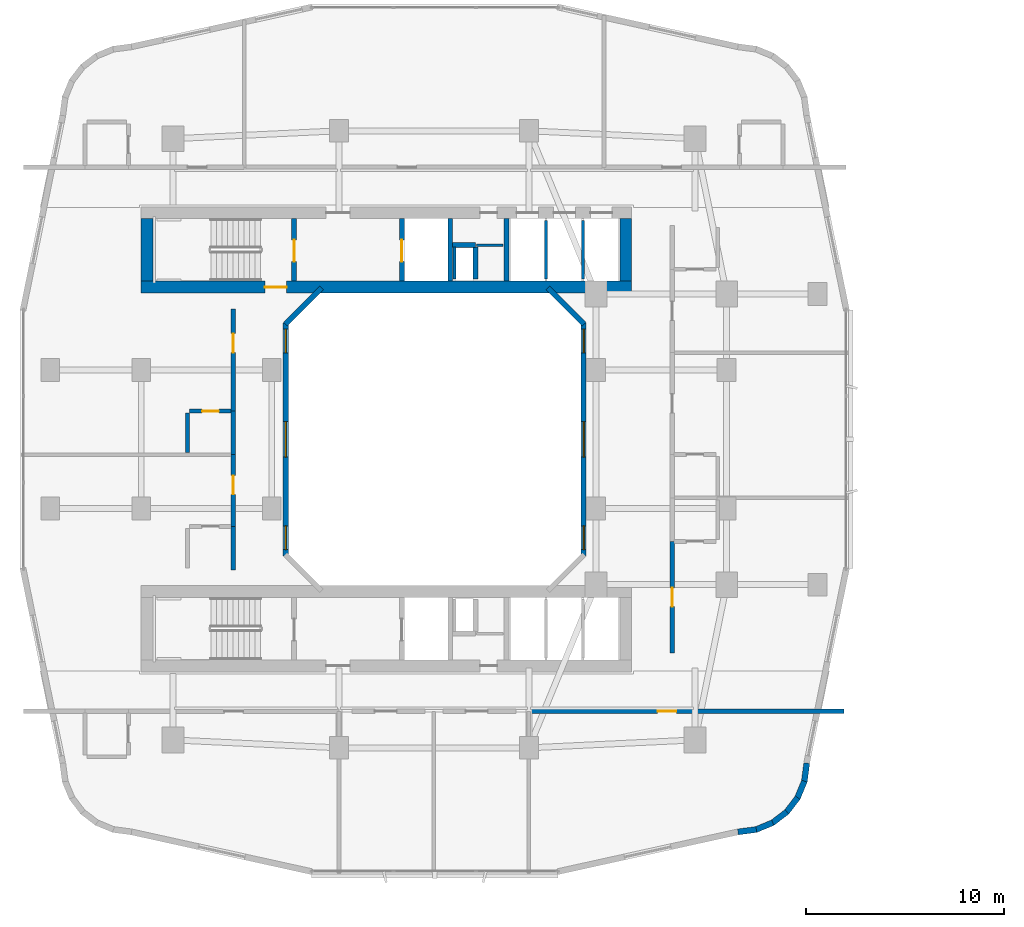
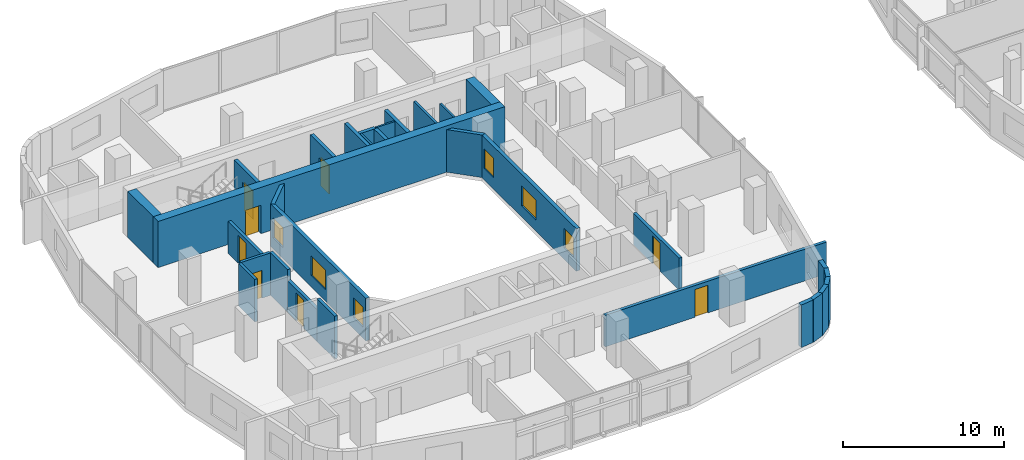
# One storey, part 14 of 26: 31 walls, 8 doors, 6 windows, 14 openings.
"""IFC4 building model written with IfcOpenShell, lengths in metres."""

from ifc_helpers import new_model, si_unit, derived_unit, direction, frame, frame_2d, origin, place, context, subcontext, project, spatial, rectangle, extrude, material, layer, layer_set, type_object, element, fill, save


model = new_model("IFC4")

# Units and contexts
model_context = context("Model", 3, precision=1e-05, world=origin(), true_north=direction((0.0, 1.0)))
body_context = subcontext(model_context, "Body", "Model", "MODEL_VIEW")
ifc_project = project(units=[si_unit("LENGTHUNIT", "METRE"), si_unit("AREAUNIT", "SQUARE_METRE"), si_unit("VOLUMEUNIT", "CUBIC_METRE"), si_unit("PLANEANGLEUNIT", "RADIAN"), si_unit("MASSUNIT", "GRAM", prefix="KILO"), derived_unit("THERMALTRANSMITTANCEUNIT", [(si_unit("POWERUNIT", "WATT"), 1), (si_unit("LENGTHUNIT", "METRE"), -2), (si_unit("THERMODYNAMICTEMPERATUREUNIT", "KELVIN"), -1)])], contexts=[model_context])

# Site, building, storey
site_placement = place(None, origin())
site = spatial("IfcSite", under=ifc_project, at=site_placement, CompositionType="ELEMENT")
building_placement = place(site_placement, origin())
building = spatial("IfcBuilding", under=site, at=building_placement, Name="Kivonza Crest Hotel", CompositionType="ELEMENT")
storey_placement = place(building_placement, frame((0.0, 0.0, 52.0)))
storey = spatial("IfcBuildingStorey", under=building, at=storey_placement, Name="L13", CompositionType="ELEMENT", Elevation=52.0)

# Wall, opening, door
ifc_material_1 = material(Name="Autoclaved aerated concrete blockwork", Category="masonry")
ifc_layer_1 = layer(ifc_material_1, 0.219970703125)
ifc_layer_set_1 = layer_set([ifc_layer_1], Name="Autoclaved aerated concrete blockwork")
wall_type_1 = type_object("IfcWallType", Name="WL-ACOU-220", PredefinedType="SOLIDWALL", material=ifc_layer_set_1)
wall_1_placement = place(storey_placement, frame((25.89990234375, 11.25, 0.0), z_axis=(0.0, 0.0, 1.0), x_axis=(1.0, 0.0, 0.0)))
wall_1 = element("IfcWall", 1, at=wall_1_placement, inside=storey, type_object=wall_type_1, Name="L13 interior partition WA-L13-BUS-MTG-N", PredefinedType="SOLIDWALL", context=body_context, shape_type="SweptSolid", body=[
    extrude(rectangle(XDim=15.840087890625, YDim=0.219970703125, at=frame_2d((7.919921875, 0.0))), origin(), (0.0, 0.0, 1.0), 2.39501953125),
])
opening_1_placement = place(wall_1_placement, frame((6.410888671875, 0.0, 0.0)))
opening_1 = element("IfcOpeningElement", 2, at=opening_1_placement, cuts=wall_1, Name="Opening DF-60S", PredefinedType="OPENING", context=body_context, shape_type="SweptSolid", body=[
    extrude(rectangle(XDim=0.949951171875, YDim=2.10009765625, at=frame_2d((0.47509765625, 1.050048828125))), frame((0.0, 0.1201171875, 0.0), z_axis=(0.0, -1.0, 0.0), x_axis=(1.0, 0.0, 0.0)), (0.0, 0.0, 1.0), 0.239990234375),
])
ifc_material_2 = material(Name="Hardwood timber oak", Category="wood")
door_type_1 = type_object("IfcDoorType", Name="DR-FD60-950", OperationType="NOTDEFINED", PredefinedType="DOOR", material=ifc_material_2)
door_1_placement = place(opening_1_placement, frame((0.949951171875, 0.0, 0.0), z_axis=(0.0, 0.0, 1.0), x_axis=(-1.0, 0.0, 0.0)))
door_1 = element("IfcDoor", 3, at=door_1_placement, inside=storey, type_object=door_type_1, Name="L13 Guest Business Office door", OperationType="SINGLE_SWING_RIGHT", OverallHeight=2.10009765625, OverallWidth=0.949951171875, PredefinedType="DOOR", context=body_context, shape_type="SweptSolid", body=[
    extrude(rectangle(XDim=0.949951171875, YDim=2.10009765625, at=frame_2d((0.47509765625, 1.050048828125))), frame((0.0, 0.02490234375, 0.0), z_axis=(0.0, -1.0, 0.0), x_axis=(1.0, 0.0, 0.0)), (0.0, 0.0, 1.0), 0.050048828125),
])
fill(opening_1, door_1)

# Wall
wall_2_placement = place(storey_placement, frame((10.85009765625, 18.39990234375, 0.0), z_axis=(0.0, 0.0, 1.0), x_axis=(0.0, 1.0, 0.0)))
element("IfcWall", 4, at=wall_2_placement, inside=storey, type_object=wall_type_1, Name="L13 interior partition WA-L13-W04-BCORR", PredefinedType="SOLIDWALL", context=body_context, shape_type="SweptSolid", body=[
    extrude(rectangle(XDim=2.2001953125, YDim=0.219970703125, at=frame_2d((1.10009765625, 0.0))), origin(), (0.0, 0.0, 1.0), 3.219970703125),
])

# Wall, opening, door
wall_3_placement = place(storey_placement, frame((10.85009765625, 20.60009765625, 0.0), z_axis=(0.0, 0.0, 1.0), x_axis=(0.0, 1.0, 0.0)))
wall_3 = element("IfcWall", 5, at=wall_3_placement, inside=storey, type_object=wall_type_1, Name="L13 interior partition WA-L13-W04-MCORR", PredefinedType="SOLIDWALL", context=body_context, shape_type="SweptSolid", body=[
    extrude(rectangle(XDim=3.6298828125, YDim=0.219970703125, at=frame_2d((1.81494140625, 0.0))), origin(), (0.0, 0.0, 1.0), 2.39501953125),
])
opening_2_placement = place(wall_3_placement, frame((1.6201171875, 0.0, 0.0)))
opening_2 = element("IfcOpeningElement", 6, at=opening_2_placement, cuts=wall_3, Name="Opening DU-60", PredefinedType="OPENING", context=body_context, shape_type="SweptSolid", body=[
    extrude(rectangle(XDim=0.949951171875, YDim=2.10009765625, at=frame_2d((0.47509765625, 1.050048828125))), frame((0.0, 0.1201171875, 0.0), z_axis=(0.0, -1.0, 0.0), x_axis=(1.0, 0.0, 0.0)), (0.0, 0.0, 1.0), 0.239990234375),
])
door_type_2 = type_object("IfcDoorType", Name="DR-UNIT-950", OperationType="NOTDEFINED", PredefinedType="DOOR", material=ifc_material_2)
door_2_placement = place(opening_2_placement, origin())
door_2 = element("IfcDoor", 7, at=door_2_placement, inside=storey, type_object=door_type_2, Name="L13 W04 guest unit entrance fire door", OperationType="SINGLE_SWING_RIGHT", OverallHeight=2.10009765625, OverallWidth=0.949951171875, PredefinedType="DOOR", context=body_context, shape_type="SweptSolid", body=[
    extrude(rectangle(XDim=0.949951171875, YDim=2.10009765625, at=frame_2d((0.47509765625, 1.050048828125))), frame((0.0, 0.02490234375, 0.0), z_axis=(0.0, -1.0, 0.0), x_axis=(1.0, 0.0, 0.0)), (0.0, 0.0, 1.0), 0.050048828125),
])
fill(opening_2, door_2)

# Wall
wall_4_placement = place(storey_placement, frame((10.85009765625, 24.22998046875, 0.0), z_axis=(0.0, 0.0, 1.0), x_axis=(0.0, 1.0, 0.0)))
element("IfcWall", 8, at=wall_4_placement, inside=storey, type_object=wall_type_1, Name="L13 interior partition WA-L13-W05-BCORR", PredefinedType="SOLIDWALL", context=body_context, shape_type="SweptSolid", body=[
    extrude(rectangle(XDim=2.199951171875, YDim=0.219970703125, at=frame_2d((1.10009765625, 0.0))), origin(), (0.0, 0.0, 1.0), 3.219970703125),
])

# Wall, opening, door
wall_5_placement = place(storey_placement, frame((10.85009765625, 26.429931640625, 0.0), z_axis=(0.0, 0.0, 1.0), x_axis=(0.0, 1.0, 0.0)))
wall_5 = element("IfcWall", 9, at=wall_5_placement, inside=storey, type_object=wall_type_1, Name="L13 interior partition WA-L13-W05-MCORR", PredefinedType="SOLIDWALL", context=body_context, shape_type="SweptSolid", body=[
    extrude(rectangle(XDim=5.170166015625, YDim=0.219970703125, at=frame_2d((2.5849609375, 0.0))), origin(), (0.0, 0.0, 1.0), 2.39501953125),
])
opening_3_placement = place(wall_5_placement, frame((2.9599609375, 0.0, 0.0)))
opening_3 = element("IfcOpeningElement", 10, at=opening_3_placement, cuts=wall_5, Name="Opening DU-60", PredefinedType="OPENING", context=body_context, shape_type="SweptSolid", body=[
    extrude(rectangle(XDim=0.949951171875, YDim=2.10009765625, at=frame_2d((0.47509765625, 1.050048828125))), frame((0.0, 0.1201171875, 0.0), z_axis=(0.0, -1.0, 0.0), x_axis=(1.0, 0.0, 0.0)), (0.0, 0.0, 1.0), 0.239990234375),
])
door_3_placement = place(opening_3_placement, origin())
door_3 = element("IfcDoor", 11, at=door_3_placement, inside=storey, type_object=door_type_2, Name="L13 W05 guest unit entrance fire door", OperationType="SINGLE_SWING_LEFT", OverallHeight=2.10009765625, OverallWidth=0.949951171875, PredefinedType="DOOR", context=body_context, shape_type="SweptSolid", body=[
    extrude(rectangle(XDim=0.949951171875, YDim=2.10009765625, at=frame_2d((0.47509765625, 1.050048828125))), frame((0.0, 0.02490234375, 0.0), z_axis=(0.0, -1.0, 0.0), x_axis=(1.0, 0.0, 0.0)), (0.0, 0.0, 1.0), 0.050048828125),
])
fill(opening_3, door_3)

wall_6_placement = place(storey_placement, frame((33.050048828125, 14.199951171875, 0.0), z_axis=(0.0, 0.0, 1.0), x_axis=(0.0, 1.0, 0.0)))
wall_6 = element("IfcWall", 12, at=wall_6_placement, inside=storey, type_object=wall_type_1, Name="L13 interior partition WA-L13-E06-MCORR", PredefinedType="SOLIDWALL", context=body_context, shape_type="SweptSolid", body=[
    extrude(rectangle(XDim=5.63916015625, YDim=0.219970703125, at=frame_2d((2.819580078125, 0.0))), origin(), (0.0, 0.0, 1.0), 2.39501953125),
])
opening_4_placement = place(wall_6_placement, frame((2.343994140625, 0.0, 0.0)))
opening_4 = element("IfcOpeningElement", 13, at=opening_4_placement, cuts=wall_6, Name="Opening DU-60", PredefinedType="OPENING", context=body_context, shape_type="SweptSolid", body=[
    extrude(rectangle(XDim=0.949951171875, YDim=2.10009765625, at=frame_2d((0.47509765625, 1.050048828125))), frame((0.0, 0.1201171875, 0.0), z_axis=(0.0, -1.0, 0.0), x_axis=(1.0, 0.0, 0.0)), (0.0, 0.0, 1.0), 0.239990234375),
])
door_4_placement = place(opening_4_placement, frame((0.949951171875, 0.0, 0.0), z_axis=(0.0, 0.0, 1.0), x_axis=(-1.0, 0.0, 0.0)))
door_4 = element("IfcDoor", 14, at=door_4_placement, inside=storey, type_object=door_type_2, Name="L13 E06 guest unit entrance fire door", OperationType="SINGLE_SWING_RIGHT", OverallHeight=2.10009765625, OverallWidth=0.949951171875, PredefinedType="DOOR", context=body_context, shape_type="SweptSolid", body=[
    extrude(rectangle(XDim=0.949951171875, YDim=2.10009765625, at=frame_2d((0.47509765625, 1.050048828125))), frame((0.0, 0.02490234375, 0.0), z_axis=(0.0, -1.0, 0.0), x_axis=(1.0, 0.0, 0.0)), (0.0, 0.0, 1.0), 0.050048828125),
])
fill(opening_4, door_4)

ifc_material_3 = material(Name="Concrete C60/75", Category="concrete")
ifc_layer_2 = layer(ifc_material_3, 0.60009765625)
ifc_layer_set_2 = layer_set([ifc_layer_2], Name="Concrete C60/75")
wall_type_2 = type_object("IfcWallType", Name="WL-CORE-600", PredefinedType="SHEAR", material=ifc_layer_set_2)
wall_7_placement = place(storey_placement, frame((6.199951171875, 32.699951171875, 0.0), z_axis=(0.0, 0.0, 1.0), x_axis=(1.0, 0.0, 0.0)))
wall_7 = element("IfcWall", 15, at=wall_7_placement, inside=storey, type_object=wall_type_2, Name="Core wall T1-N South L13", PredefinedType="SHEAR", context=body_context, shape_type="SweptSolid", body=[
    extrude(rectangle(XDim=24.800048828125, YDim=0.60009765625, at=frame_2d((12.39990234375, 0.0))), origin(), (0.0, 0.0, 1.0), 3.5),
])
opening_5_placement = place(wall_7_placement, frame((6.25, 0.0, 0.0)))
opening_5 = element("IfcOpeningElement", 16, at=opening_5_placement, cuts=wall_7, Name="Opening DF-120", PredefinedType="OPENING", context=body_context, shape_type="SweptSolid", body=[
    extrude(rectangle(XDim=1.10009765625, YDim=2.14990234375, at=frame_2d((0.550048828125, 1.074951171875))), frame((0.0, 0.31005859375, 0.0), z_axis=(0.0, -1.0, 0.0), x_axis=(1.0, 0.0, 0.0)), (0.0, 0.0, 1.0), 0.6201171875),
])
ifc_material_4 = material(Name="Galvanised steel", Category="steel")
door_type_3 = type_object("IfcDoorType", Name="DR-FD120-1100", OperationType="NOTDEFINED", PredefinedType="DOOR", material=ifc_material_4)
door_5_placement = place(opening_5_placement, origin())
door_5 = element("IfcDoor", 17, at=door_5_placement, inside=storey, type_object=door_type_3, Name="L13 West corridor stair access fire door", OperationType="SINGLE_SWING_LEFT", OverallHeight=2.14990234375, OverallWidth=1.10009765625, PredefinedType="DOOR", context=body_context, shape_type="SweptSolid", body=[
    extrude(rectangle(XDim=1.10009765625, YDim=2.14990234375, at=frame_2d((0.550048828125, 1.074951171875))), frame((0.0, 0.02490234375, 0.0), z_axis=(0.0, -1.0, 0.0), x_axis=(1.0, 0.0, 0.0)), (0.0, 0.0, 1.0), 0.050048828125),
])
fill(opening_5, door_5)

# Walls
for number, where, z_axis, x_axis, name in (
    (18, (6.5, 33.0, 0.0), (0.0, 0.0, 1.0), (0.0, 1.0, 0.0), "Core wall T1-N West L13"),
    (19, (30.699951171875, 33.0, 0.0), (0.0, 0.0, 1.0), (0.0, 1.0, 0.0), "Core wall T1-N East L13"),
):
    element("IfcWall", number, at=place(storey_placement, frame(where, z_axis=z_axis, x_axis=x_axis)), inside=storey, type_object=wall_type_2, Name=name, PredefinedType="SHEAR", context=body_context, shape_type="SweptSolid", body=[
        extrude(rectangle(XDim=3.159912109375, YDim=0.60009765625, at=frame_2d((1.580078125, 0.0))), origin(), (0.0, 0.0, 1.0), 3.5),
    ])

# Wall, openings, windows
ifc_material_5 = material(Name="Precast concrete C40/50", Category="concrete")
ifc_layer_3 = layer(ifc_material_5, 0.260009765625)
ifc_layer_set_3 = layer_set([ifc_layer_3], Name="Precast concrete C40/50")
wall_type_3 = type_object("IfcWallType", Name="WL-EXT-260", PredefinedType="STANDARD", material=ifc_layer_set_3)
wall_8_placement = place(storey_placement, frame((28.570068359375, 19.110107421875, 0.0), z_axis=(0.0, 0.0, 1.0), x_axis=(0.0, 1.0, 0.0)))
wall_8 = element("IfcWall", 20, at=wall_8_placement, inside=storey, type_object=wall_type_3, Name="L13 T1 light-well exterior wall 3", PredefinedType="STANDARD", context=body_context, shape_type="SweptSolid", body=[
    extrude(rectangle(XDim=11.77978515625, YDim=0.260009765625, at=frame_2d((5.889892578125, 0.0))), origin(), (0.0, 0.0, 1.0), 3.219970703125),
])
opening_6_placement = place(wall_8_placement, frame((0.318115234375, 0.0, 0.85009765625)))
opening_6 = element("IfcOpeningElement", 21, at=opening_6_placement, cuts=wall_8, Name="Opening WN-01", PredefinedType="OPENING", context=body_context, shape_type="SweptSolid", body=[
    extrude(rectangle(XDim=1.199951171875, YDim=1.5, at=frame_2d((0.60009765625, 0.75))), frame((0.0, 0.14013671875, 0.0), z_axis=(0.0, -1.0, 0.0), x_axis=(1.0, 0.0, 0.0)), (0.0, 0.0, 1.0), 0.280029296875),
])
opening_7_placement = place(wall_8_placement, frame((4.989990234375, 0.0, 0.85009765625)))
opening_7 = element("IfcOpeningElement", 22, at=opening_7_placement, cuts=wall_8, Name="Opening WN-03", PredefinedType="OPENING", context=body_context, shape_type="SweptSolid", body=[
    extrude(rectangle(XDim=1.800048828125, YDim=1.5, at=frame_2d((0.89990234375, 0.75))), frame((0.0, 0.14013671875, 0.0), z_axis=(0.0, -1.0, 0.0), x_axis=(1.0, 0.0, 0.0)), (0.0, 0.0, 1.0), 0.280029296875),
])
opening_8_placement = place(wall_8_placement, frame((10.262939453125, 0.0, 0.85009765625)))
opening_8 = element("IfcOpeningElement", 23, at=opening_8_placement, cuts=wall_8, Name="Opening WN-01", PredefinedType="OPENING", context=body_context, shape_type="SweptSolid", body=[
    extrude(rectangle(XDim=1.199951171875, YDim=1.5, at=frame_2d((0.60009765625, 0.75))), frame((0.0, 0.14013671875, 0.0), z_axis=(0.0, -1.0, 0.0), x_axis=(1.0, 0.0, 0.0)), (0.0, 0.0, 1.0), 0.280029296875),
])
ifc_material_6 = material(Name="Thermally broken bronze aluminium and low-E double glazing", Category="aluminium")
window_type_1 = type_object("IfcWindowType", Name="WN-120x150", PartitioningType="SINGLE_PANEL", PredefinedType="WINDOW", material=ifc_material_6)
window_1_placement = place(opening_6_placement, origin())
window_1 = element("IfcWindow", 24, at=window_1_placement, inside=storey, type_object=window_type_1, Name="L13 T1 light-well window 3 bay 1", OverallHeight=1.5, OverallWidth=1.199951171875, PartitioningType="SINGLE_PANEL", PredefinedType="WINDOW", context=body_context, shape_type="SweptSolid", body=[
    extrude(rectangle(XDim=1.199951171875, YDim=1.5, at=frame_2d((0.60009765625, 0.75))), frame((0.0, 0.030029296875, 0.0), z_axis=(0.0, -1.0, 0.0), x_axis=(1.0, 0.0, 0.0)), (0.0, 0.0, 1.0), 0.06005859375),
])
fill(opening_6, window_1)
window_2_placement = place(opening_8_placement, origin())
window_2 = element("IfcWindow", 25, at=window_2_placement, inside=storey, type_object=window_type_1, Name="L13 T1 light-well window 3 bay 3", OverallHeight=1.5, OverallWidth=1.199951171875, PartitioningType="SINGLE_PANEL", PredefinedType="WINDOW", context=body_context, shape_type="SweptSolid", body=[
    extrude(rectangle(XDim=1.199951171875, YDim=1.5, at=frame_2d((0.60009765625, 0.75))), frame((0.0, 0.030029296875, 0.0), z_axis=(0.0, -1.0, 0.0), x_axis=(1.0, 0.0, 0.0)), (0.0, 0.0, 1.0), 0.06005859375),
])
fill(opening_8, window_2)
window_type_2 = type_object("IfcWindowType", Name="WN-180x150", PartitioningType="DOUBLE_PANEL_VERTICAL", PredefinedType="WINDOW", material=ifc_material_6)
window_3_placement = place(opening_7_placement, origin())
window_3 = element("IfcWindow", 26, at=window_3_placement, inside=storey, type_object=window_type_2, Name="L13 T1 light-well window 3 bay 2", OverallHeight=1.5, OverallWidth=1.800048828125, PartitioningType="SINGLE_PANEL", PredefinedType="WINDOW", context=body_context, shape_type="SweptSolid", body=[
    extrude(rectangle(XDim=1.800048828125, YDim=1.5, at=frame_2d((0.89990234375, 0.75))), frame((0.0, 0.030029296875, 0.0), z_axis=(0.0, -1.0, 0.0), x_axis=(1.0, 0.0, 0.0)), (0.0, 0.0, 1.0), 0.06005859375),
])
fill(opening_7, window_3)

# Walls
wall_9_placement = place(storey_placement, frame((28.595947265625, 30.827880859375, 0.0), z_axis=(0.0, 0.0, 1.0), x_axis=(-0.707059717605, 0.707153841636, 0.0)))
element("IfcWall", 27, at=wall_9_placement, inside=storey, type_object=wall_type_3, Name="L13 T1 light-well exterior wall 4", PredefinedType="STANDARD", context=body_context, shape_type="SweptSolid", body=[
    extrude(rectangle(XDim=2.59375, YDim=0.260009765625, at=frame_2d((1.296875, 0.0))), origin(), (0.0, 0.0, 1.0), 3.219970703125),
])
wall_10_placement = place(storey_placement, frame((15.318115234375, 32.662109375, 0.0), z_axis=(0.0, 0.0, 1.0), x_axis=(-0.707106781187, -0.707106781187, 0.0)))
element("IfcWall", 28, at=wall_10_placement, inside=storey, type_object=wall_type_3, Name="L13 T1 light-well exterior wall 6", PredefinedType="STANDARD", context=body_context, shape_type="SweptSolid", body=[
    extrude(rectangle(XDim=2.593994140625, YDim=0.260009765625, at=frame_2d((1.296875, 0.0))), origin(), (0.0, 0.0, 1.0), 3.219970703125),
])

# Wall, openings, windows
wall_11_placement = place(storey_placement, frame((13.510009765625, 30.889892578125, 0.0), z_axis=(0.0, 0.0, 1.0), x_axis=(0.0, -1.0, 0.0)))
wall_11 = element("IfcWall", 29, at=wall_11_placement, inside=storey, type_object=wall_type_3, Name="L13 T1 light-well exterior wall 7", PredefinedType="STANDARD", context=body_context, shape_type="SweptSolid", body=[
    extrude(rectangle(XDim=11.77978515625, YDim=0.260009765625, at=frame_2d((5.889892578125, 0.0))), origin(), (0.0, 0.0, 1.0), 3.219970703125),
])
opening_9_placement = place(wall_11_placement, frame((0.318115234375, 0.0, 0.85009765625)))
opening_9 = element("IfcOpeningElement", 30, at=opening_9_placement, cuts=wall_11, Name="Opening WN-01", PredefinedType="OPENING", context=body_context, shape_type="SweptSolid", body=[
    extrude(rectangle(XDim=1.199951171875, YDim=1.5, at=frame_2d((0.60009765625, 0.75))), frame((0.0, 0.14013671875, 0.0), z_axis=(0.0, -1.0, 0.0), x_axis=(1.0, 0.0, 0.0)), (0.0, 0.0, 1.0), 0.280029296875),
])
opening_10_placement = place(wall_11_placement, frame((4.989990234375, 0.0, 0.85009765625)))
opening_10 = element("IfcOpeningElement", 31, at=opening_10_placement, cuts=wall_11, Name="Opening WN-03", PredefinedType="OPENING", context=body_context, shape_type="SweptSolid", body=[
    extrude(rectangle(XDim=1.800048828125, YDim=1.5, at=frame_2d((0.89990234375, 0.75))), frame((0.0, 0.14013671875, 0.0), z_axis=(0.0, -1.0, 0.0), x_axis=(1.0, 0.0, 0.0)), (0.0, 0.0, 1.0), 0.280029296875),
])
opening_11_placement = place(wall_11_placement, frame((10.262939453125, 0.0, 0.85009765625)))
opening_11 = element("IfcOpeningElement", 32, at=opening_11_placement, cuts=wall_11, Name="Opening WN-01", PredefinedType="OPENING", context=body_context, shape_type="SweptSolid", body=[
    extrude(rectangle(XDim=1.199951171875, YDim=1.5, at=frame_2d((0.60009765625, 0.75))), frame((0.0, 0.14013671875, 0.0), z_axis=(0.0, -1.0, 0.0), x_axis=(1.0, 0.0, 0.0)), (0.0, 0.0, 1.0), 0.280029296875),
])
window_4_placement = place(opening_9_placement, origin())
window_4 = element("IfcWindow", 33, at=window_4_placement, inside=storey, type_object=window_type_1, Name="L13 T1 light-well window 7 bay 1", OverallHeight=1.5, OverallWidth=1.199951171875, PartitioningType="SINGLE_PANEL", PredefinedType="WINDOW", context=body_context, shape_type="SweptSolid", body=[
    extrude(rectangle(XDim=1.199951171875, YDim=1.5, at=frame_2d((0.60009765625, 0.75))), frame((0.0, 0.030029296875, 0.0), z_axis=(0.0, -1.0, 0.0), x_axis=(1.0, 0.0, 0.0)), (0.0, 0.0, 1.0), 0.06005859375),
])
fill(opening_9, window_4)
window_5_placement = place(opening_11_placement, origin())
window_5 = element("IfcWindow", 34, at=window_5_placement, inside=storey, type_object=window_type_1, Name="L13 T1 light-well window 7 bay 3", OverallHeight=1.5, OverallWidth=1.199951171875, PartitioningType="SINGLE_PANEL", PredefinedType="WINDOW", context=body_context, shape_type="SweptSolid", body=[
    extrude(rectangle(XDim=1.199951171875, YDim=1.5, at=frame_2d((0.60009765625, 0.75))), frame((0.0, 0.030029296875, 0.0), z_axis=(0.0, -1.0, 0.0), x_axis=(1.0, 0.0, 0.0)), (0.0, 0.0, 1.0), 0.06005859375),
])
fill(opening_11, window_5)
window_6_placement = place(opening_10_placement, origin())
window_6 = element("IfcWindow", 35, at=window_6_placement, inside=storey, type_object=window_type_2, Name="L13 T1 light-well window 7 bay 2", OverallHeight=1.5, OverallWidth=1.800048828125, PartitioningType="SINGLE_PANEL", PredefinedType="WINDOW", context=body_context, shape_type="SweptSolid", body=[
    extrude(rectangle(XDim=1.800048828125, YDim=1.5, at=frame_2d((0.89990234375, 0.75))), frame((0.0, 0.030029296875, 0.0), z_axis=(0.0, -1.0, 0.0), x_axis=(1.0, 0.0, 0.0)), (0.0, 0.0, 1.0), 0.06005859375),
])
fill(opening_10, window_6)

# Walls
ifc_layer_4 = layer(ifc_material_5, 0.300048828125)
ifc_layer_set_4 = layer_set([ifc_layer_4], Name="Precast concrete C40/50")
wall_type_4 = type_object("IfcWallType", Name="WL-EXT-300", PredefinedType="STANDARD", material=ifc_layer_set_4)
wall_12_placement = place(storey_placement, frame((36.3720703125, 5.14794921875, 0.0), z_axis=(0.0, 0.0, 1.0), x_axis=(0.991359246108, 0.131174864804, 0.0)))
element("IfcWall", 36, at=wall_12_placement, inside=storey, type_object=wall_type_4, Name="L13 T1 exterior insulated wall 10", PredefinedType="STANDARD", context=body_context, shape_type="SweptSolid", body=[
    extrude(rectangle(XDim=0.93798828125, YDim=0.300048828125, at=frame_2d((0.468994140625, 0.0))), origin(), (0.0, 0.0, 1.0), 3.219970703125),
])
wall_13_placement = place(storey_placement, frame((37.251953125, 5.251953125, 0.0), z_axis=(0.0, 0.0, 1.0), x_axis=(0.924019948111, 0.382344263057, 0.0)))
element("IfcWall", 37, at=wall_13_placement, inside=storey, type_object=wall_type_4, Name="L13 T1 exterior insulated wall 11", PredefinedType="STANDARD", context=body_context, shape_type="SweptSolid", body=[
    extrude(rectangle(XDim=0.95458984375, YDim=0.300048828125, at=frame_2d((0.477294921875, 0.0))), origin(), (0.0, 0.0, 1.0), 3.219970703125),
])
wall_14_placement = place(storey_placement, frame((38.089111328125, 5.5859375, 0.0), z_axis=(0.0, 0.0, 1.0), x_axis=(0.793573440799, 0.608474481025, 0.0)))
element("IfcWall", 38, at=wall_14_placement, inside=storey, type_object=wall_type_4, Name="L13 T1 exterior insulated wall 12", PredefinedType="STANDARD", context=body_context, shape_type="SweptSolid", body=[
    extrude(rectangle(XDim=0.954833984375, YDim=0.300048828125, at=frame_2d((0.4775390625, 0.0))), origin(), (0.0, 0.0, 1.0), 3.219970703125),
])
wall_15_placement = place(storey_placement, frame((38.81201171875, 6.125, 0.0), z_axis=(0.0, 0.0, 1.0), x_axis=(0.608351047625, 0.793668068435, 0.0)))
element("IfcWall", 39, at=wall_15_placement, inside=storey, type_object=wall_type_4, Name="L13 T1 exterior insulated wall 13", PredefinedType="STANDARD", context=body_context, shape_type="SweptSolid", body=[
    extrude(rectangle(XDim=0.955078125, YDim=0.300048828125, at=frame_2d((0.4775390625, 0.0))), origin(), (0.0, 0.0, 1.0), 3.219970703125),
])
wall_16_placement = place(storey_placement, frame((39.368896484375, 6.833984375, 0.0), z_axis=(0.0, 0.0, 1.0), x_axis=(0.382344263057, 0.924019948111, 0.0)))
element("IfcWall", 40, at=wall_16_placement, inside=storey, type_object=wall_type_4, Name="L13 T1 exterior insulated wall 14", PredefinedType="STANDARD", context=body_context, shape_type="SweptSolid", body=[
    extrude(rectangle(XDim=0.95458984375, YDim=0.300048828125, at=frame_2d((0.477294921875, 0.0))), origin(), (0.0, 0.0, 1.0), 3.219970703125),
])
wall_17_placement = place(storey_placement, frame((39.72509765625, 7.6630859375, 0.0), z_axis=(0.0, 0.0, 1.0), x_axis=(0.130454512571, 0.991454295543, 0.0)))
element("IfcWall", 41, at=wall_17_placement, inside=storey, type_object=wall_type_4, Name="L13 T1 exterior insulated wall 15", PredefinedType="STANDARD", context=body_context, shape_type="SweptSolid", body=[
    extrude(rectangle(XDim=0.97314453125, YDim=0.300048828125, at=frame_2d((0.486572265625, 0.0))), origin(), (0.0, 0.0, 1.0), 3.219970703125),
])
ifc_material_7 = material(Name="Concrete blockwork fire-compartment wall", Category="masonry")
ifc_layer_5 = layer(ifc_material_7, 0.25)
ifc_layer_set_5 = layer_set([ifc_layer_5], Name="Concrete blockwork fire-compartment wall")
wall_type_5 = type_object("IfcWallType", Name="WL-FIRE-250", PredefinedType="SOLIDWALL", material=ifc_layer_set_5)
wall_18_placement = place(storey_placement, frame((23.10009765625, 33.10009765625, 0.0), z_axis=(0.0, 0.0, 1.0), x_axis=(0.0, 1.0, 0.0)))
element("IfcWall", 42, at=wall_18_placement, inside=storey, type_object=wall_type_5, Name="L13 interior partition WA-L13-T1-N-MEPR-E", PredefinedType="SOLIDWALL", context=body_context, shape_type="SweptSolid", body=[
    extrude(rectangle(XDim=1.619873046875, YDim=0.25, at=frame_2d((0.81005859375, 0.0))), origin(), (0.0, 0.0, 1.0), 3.219970703125),
])
wall_19_placement = place(storey_placement, frame((21.949951171875, 34.820068359375, 0.0), z_axis=(0.0, 0.0, 1.0), x_axis=(1.0, 0.0, 0.0)))
element("IfcWall", 43, at=wall_19_placement, inside=storey, type_object=wall_type_5, Name="L13 interior partition WA-L13-T1-N-MEPR-H", PredefinedType="SOLIDWALL", context=body_context, shape_type="SweptSolid", body=[
    extrude(rectangle(XDim=1.150146484375, YDim=0.25, at=frame_2d((0.5751953125, 0.0))), origin(), (0.0, 0.0, 1.0), 3.219970703125),
])
ifc_material_8 = material(Name="Metal-stud gypsum board partition", Category="gypsum")
ifc_layer_6 = layer(ifc_material_8, 0.125)
ifc_layer_set_6 = layer_set([ifc_layer_6], Name="Metal-stud gypsum board partition")
wall_type_6 = type_object("IfcWallType", Name="WL-PART-125", PredefinedType="PARTITIONING", material=ifc_layer_set_6)
wall_20_placement = place(storey_placement, frame((23.14990234375, 34.820068359375, 0.0), z_axis=(0.0, 0.0, 1.0), x_axis=(1.0, 0.0, 0.0)))
element("IfcWall", 44, at=wall_20_placement, inside=storey, type_object=wall_type_6, Name="L13 interior partition WP-L13-T1-N-SV2H", PredefinedType="PARTITIONING", context=body_context, shape_type="SweptSolid", body=[
    extrude(rectangle(XDim=1.35009765625, YDim=0.125, at=frame_2d((0.675048828125, 0.0))), origin(), (0.0, 0.0, 1.0), 3.219970703125),
])
ifc_material_9 = material(Name="Twin-stud acoustic gypsum board partition", Category="gypsum")
ifc_layer_7 = layer(ifc_material_9, 0.14990234375)
ifc_layer_set_7 = layer_set([ifc_layer_7], Name="Twin-stud acoustic gypsum board partition")
wall_type_7 = type_object("IfcWallType", Name="WL-PART-150", PredefinedType="PARTITIONING", material=ifc_layer_set_7)
wall_21_placement = place(storey_placement, frame((22.030029296875, 33.10009765625, 0.0), z_axis=(0.0, 0.0, 1.0), x_axis=(0.0, 1.0, 0.0)))
element("IfcWall", 45, at=wall_21_placement, inside=storey, type_object=wall_type_7, Name="L13 interior partition WA-L13-T1-N-MEPR-W", PredefinedType="PARTITIONING", context=body_context, shape_type="SweptSolid", body=[
    extrude(rectangle(XDim=1.619873046875, YDim=0.14990234375, at=frame_2d((0.81005859375, 0.0))), origin(), (0.0, 0.0, 1.0), 3.219970703125),
])
wall_22_placement = place(storey_placement, frame((26.6669921875, 33.10009765625, 0.0), z_axis=(0.0, 0.0, 1.0), x_axis=(0.0, 1.0, 0.0)))
element("IfcWall", 46, at=wall_22_placement, inside=storey, type_object=wall_type_7, Name="L13 interior partition WP-L13-T1-N-BSH-1", PredefinedType="PARTITIONING", context=body_context, shape_type="SweptSolid", body=[
    extrude(rectangle(XDim=2.9599609375, YDim=0.14990234375, at=frame_2d((1.47998046875, 0.0))), origin(), (0.0, 0.0, 1.0), 3.219970703125),
])
wall_23_placement = place(storey_placement, frame((28.532958984375, 33.10009765625, 0.0), z_axis=(0.0, 0.0, 1.0), x_axis=(0.0, 1.0, 0.0)))
element("IfcWall", 47, at=wall_23_placement, inside=storey, type_object=wall_type_7, Name="L13 interior partition WP-L13-T1-N-BSH-2", PredefinedType="PARTITIONING", context=body_context, shape_type="SweptSolid", body=[
    extrude(rectangle(XDim=2.9599609375, YDim=0.14990234375, at=frame_2d((1.47998046875, 0.0))), origin(), (0.0, 0.0, 1.0), 2.39501953125),
])

# Wall, opening, door
ifc_material_10 = material(Name="Moisture-resistant plumbing chase partition wall", Category="gypsum")
ifc_layer_8 = layer(ifc_material_10, 0.199951171875)
ifc_layer_set_8 = layer_set([ifc_layer_8], Name="Moisture-resistant plumbing chase partition wall")
wall_type_8 = type_object("IfcWallType", Name="WL-PLUMB-200", PredefinedType="PLUMBINGWALL", material=ifc_layer_set_8)
wall_24_placement = place(storey_placement, frame((8.64990234375, 26.429931640625, 0.0), z_axis=(0.0, 0.0, 1.0), x_axis=(1.0, 0.0, 0.0)))
wall_24 = element("IfcWall", 48, at=wall_24_placement, inside=storey, type_object=wall_type_8, Name="L13 interior partition WW-L13-W05-BH", PredefinedType="PLUMBINGWALL", context=body_context, shape_type="SweptSolid", body=[
    extrude(rectangle(XDim=2.10009765625, YDim=0.199951171875, at=frame_2d((1.050048828125, 0.0))), origin(), (0.0, 0.0, 1.0), 3.219970703125),
])
opening_12_placement = place(wall_24_placement, frame((0.625, 0.0, 0.0)))
opening_12 = element("IfcOpeningElement", 49, at=opening_12_placement, cuts=wall_24, Name="Opening DI-85", PredefinedType="OPENING", context=body_context, shape_type="SweptSolid", body=[
    extrude(rectangle(XDim=0.85009765625, YDim=2.10009765625, at=frame_2d((0.425048828125, 1.050048828125))), frame((0.0, 0.10986328125, 0.0), z_axis=(0.0, -1.0, 0.0), x_axis=(1.0, 0.0, 0.0)), (0.0, 0.0, 1.0), 0.219970703125),
])
door_type_4 = type_object("IfcDoorType", Name="DR-INT-850", OperationType="NOTDEFINED", PredefinedType="DOOR", material=ifc_material_2)
door_6_placement = place(opening_12_placement, origin())
door_6 = element("IfcDoor", 50, at=door_6_placement, inside=storey, type_object=door_type_4, Name="L13 W05 en-suite bathroom door", OperationType="SINGLE_SWING_RIGHT", OverallHeight=2.10009765625, OverallWidth=0.85009765625, PredefinedType="DOOR", context=body_context, shape_type="SweptSolid", body=[
    extrude(rectangle(XDim=0.85009765625, YDim=2.10009765625, at=frame_2d((0.425048828125, 1.050048828125))), frame((0.0, 0.02490234375, 0.0), z_axis=(0.0, -1.0, 0.0), x_axis=(1.0, 0.0, 0.0)), (0.0, 0.0, 1.0), 0.050048828125),
])
fill(opening_12, door_6)

# Wall
wall_25_placement = place(storey_placement, frame((8.550048828125, 24.330078125, 0.0), z_axis=(0.0, 0.0, 1.0), x_axis=(0.0, 1.0, 0.0)))
element("IfcWall", 51, at=wall_25_placement, inside=storey, type_object=wall_type_8, Name="L13 interior partition WW-L13-W05-BV", PredefinedType="PLUMBINGWALL", context=body_context, shape_type="SweptSolid", body=[
    extrude(rectangle(XDim=2.0, YDim=0.199951171875, at=frame_2d((1.0, 0.0))), origin(), (0.0, 0.0, 1.0), 3.219970703125),
])

# Wall, opening, door
ifc_material_11 = material(Name="Concrete C50/60", Category="concrete")
ifc_layer_9 = layer(ifc_material_11, 0.25)
ifc_layer_set_9 = layer_set([ifc_layer_9], Name="Concrete C50/60")
wall_type_9 = type_object("IfcWallType", Name="WL-SHAFT-250", PredefinedType="STANDARD", material=ifc_layer_set_9)
wall_26_placement = place(storey_placement, frame((13.925048828125, 33.0, 0.0), z_axis=(0.0, 0.0, 1.0), x_axis=(0.0, 1.0, 0.0)))
wall_26 = element("IfcWall", 52, at=wall_26_placement, inside=storey, type_object=wall_type_9, Name="Core shaft wall T1-N STAIR L13", PredefinedType="STANDARD", context=body_context, shape_type="SweptSolid", body=[
    extrude(rectangle(XDim=3.159912109375, YDim=0.25, at=frame_2d((1.580078125, 0.0))), origin(), (0.0, 0.0, 1.0), 3.219970703125),
])
opening_13_placement = place(wall_26_placement, frame((0.97998046875, 0.0, 0.0)))
opening_13 = element("IfcOpeningElement", 53, at=opening_13_placement, cuts=wall_26, Name="Opening DF-120", PredefinedType="OPENING", context=body_context, shape_type="SweptSolid", body=[
    extrude(rectangle(XDim=1.10009765625, YDim=2.14990234375, at=frame_2d((0.550048828125, 1.074951171875))), frame((0.0, 0.135009765625, 0.0), z_axis=(0.0, -1.0, 0.0), x_axis=(1.0, 0.0, 0.0)), (0.0, 0.0, 1.0), 0.27001953125),
])
door_7_placement = place(opening_13_placement, frame((1.10009765625, 0.0, 0.0), z_axis=(0.0, 0.0, 1.0), x_axis=(-1.0, 0.0, 0.0)))
door_7 = element("IfcDoor", 54, at=door_7_placement, inside=storey, type_object=door_type_3, Name="L13 T1-N stair fire door", OperationType="SINGLE_SWING_LEFT", OverallHeight=2.14990234375, OverallWidth=1.10009765625, PredefinedType="DOOR", context=body_context, shape_type="SweptSolid", body=[
    extrude(rectangle(XDim=1.10009765625, YDim=2.14990234375, at=frame_2d((0.550048828125, 1.074951171875))), frame((0.0, 0.02490234375, 0.0), z_axis=(0.0, -1.0, 0.0), x_axis=(1.0, 0.0, 0.0)), (0.0, 0.0, 1.0), 0.050048828125),
])
fill(opening_13, door_7)

wall_27_placement = place(storey_placement, frame((19.375, 33.0, 0.0), z_axis=(0.0, 0.0, 1.0), x_axis=(0.0, 1.0, 0.0)))
wall_27 = element("IfcWall", 55, at=wall_27_placement, inside=storey, type_object=wall_type_9, Name="Core shaft wall T1-N FFL-W L13", PredefinedType="STANDARD", context=body_context, shape_type="SweptSolid", body=[
    extrude(rectangle(XDim=3.159912109375, YDim=0.25, at=frame_2d((1.580078125, 0.0))), origin(), (0.0, 0.0, 1.0), 3.219970703125),
])
opening_14_placement = place(wall_27_placement, frame((0.97998046875, 0.0, 0.0)))
opening_14 = element("IfcOpeningElement", 56, at=opening_14_placement, cuts=wall_27, Name="Opening LD-120", PredefinedType="OPENING", context=body_context, shape_type="SweptSolid", body=[
    extrude(rectangle(XDim=1.10009765625, YDim=2.14990234375, at=frame_2d((0.550048828125, 1.074951171875))), frame((0.0, 0.135009765625, 0.0), z_axis=(0.0, -1.0, 0.0), x_axis=(1.0, 0.0, 0.0)), (0.0, 0.0, 1.0), 0.27001953125),
])
ifc_material_12 = material(Name="Stainless steel", Category="steel")
door_type_5 = type_object("IfcDoorType", Name="DR-LD120-1100", OperationType="NOTDEFINED", PredefinedType="DOOR", material=ifc_material_12)
door_8_placement = place(opening_14_placement, origin())
door_8 = element("IfcDoor", 57, at=door_8_placement, inside=storey, type_object=door_type_5, Name="L13 FFL-T1-N firefighting lift sliding landing door", OperationType="DOUBLE_DOOR_SLIDING", OverallHeight=2.14990234375, OverallWidth=1.10009765625, PredefinedType="DOOR", context=body_context, shape_type="SweptSolid", body=[
    extrude(rectangle(XDim=1.10009765625, YDim=2.14990234375, at=frame_2d((0.550048828125, 1.074951171875))), frame((0.0, 0.02490234375, 0.0), z_axis=(0.0, -1.0, 0.0), x_axis=(1.0, 0.0, 0.0)), (0.0, 0.0, 1.0), 0.050048828125),
])
fill(opening_14, door_8)

# Walls
for number, where, z_axis, x_axis, name in (
    (58, (21.824951171875, 33.0, 0.0), (0.0, 0.0, 1.0), (0.0, 1.0, 0.0), "Core shaft wall T1-N FFL-E L13"),
    (59, (24.675048828125, 33.0, 0.0), (0.0, 0.0, 1.0), (0.0, 1.0, 0.0), "Core shaft wall T1-N BANK-W L13"),
):
    element("IfcWall", number, at=place(storey_placement, frame(where, z_axis=z_axis, x_axis=x_axis)), inside=storey, type_object=wall_type_9, Name=name, PredefinedType="STANDARD", context=body_context, shape_type="SweptSolid", body=[
        extrude(rectangle(XDim=3.159912109375, YDim=0.25, at=frame_2d((1.580078125, 0.0))), origin(), (0.0, 0.0, 1.0), 3.219970703125),
    ])

save(model, "model.ifc")
